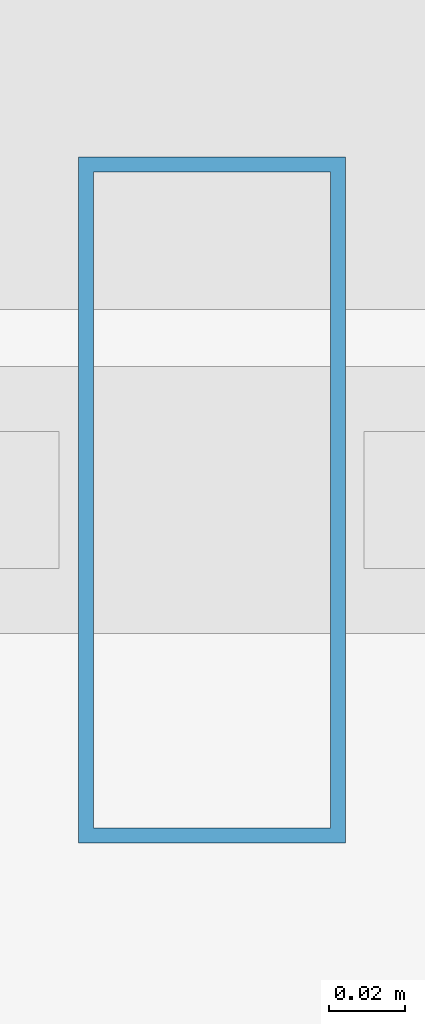
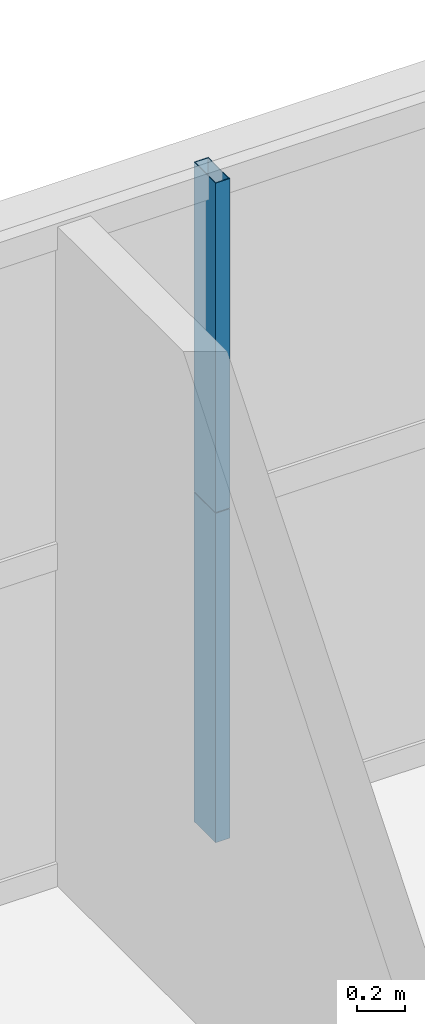
# One storey, part 35 of 43: 2 members, 1 element without a shape of its own.
"""IFC4 building model written with IfcOpenShell, lengths in metres."""

from ifc_helpers import new_model, si_unit, direction, frame, origin, origin_2d, place, context, subcontext, project, spatial, hollow_rectangle, extrude, source, transform, mapped, material, layer, layer_set, material_profile, profile_set, type_object, element, aggregate, save


model = new_model("IFC4")

# Units and contexts
model_context = context("Model", 3, precision=1e-05, world=origin(), true_north=direction((0.0, 1.0)))
body_context = subcontext(model_context, "Body", "Model", "MODEL_VIEW")
ifc_project = project(units=[si_unit("LENGTHUNIT", "METRE"), si_unit("AREAUNIT", "SQUARE_METRE"), si_unit("VOLUMEUNIT", "CUBIC_METRE"), si_unit("PLANEANGLEUNIT", "RADIAN"), si_unit("MASSUNIT", "GRAM", prefix="KILO"), si_unit("THERMODYNAMICTEMPERATUREUNIT", "KELVIN"), si_unit("POWERUNIT", "WATT")], contexts=[model_context])

# Site, building, storey
site_placement = place(None, origin())
site = spatial("IfcSite", under=ifc_project, at=site_placement, CompositionType="ELEMENT")
building_placement = place(site_placement, origin())
building = spatial("IfcBuilding", under=site, at=building_placement, Name="Yuzanri Waterfront Tower", CompositionType="ELEMENT")
storey_placement = place(building_placement, frame((0.0, 0.0, 74.800048828125)))
storey = spatial("IfcBuildingStorey", under=building, at=storey_placement, Name="L19", CompositionType="ELEMENT", Elevation=74.800048828125)

# Curtain wall, members
ifc_material_1 = material(Name="Anodized Architectural Bronze", Category="metal")
ifc_layer = layer(ifc_material_1, 0.159912109375)
ifc_layer_set = layer_set([ifc_layer], Name="Anodized Architectural Bronze")
curtain_wall_type = type_object("IfcCurtainWallType", Name="Anodized Bronze Hotel Lower-Tier Recessed Unitized Curtain Wall 8100", PredefinedType="NOTDEFINED", material=ifc_layer_set)
curtain_wall_placement = place(storey_placement, origin())
curtain_wall = element("IfcCurtainWall", 1, at=curtain_wall_placement, inside=storey, type_object=curtain_wall_type, Name="L19 Curtain Wall CW-L19-NR", PredefinedType="NOTDEFINED")
ifc_material_2 = material(Name="Anodized Architectural Bronze", Category="metal")
ifc_material_profile = material_profile(ifc_material_2, hollow_rectangle(XDim=0.070068359375, YDim=0.179931640625, WallThickness=0.00390625, at=origin_2d()), Name="CWM 70x180")
ifc_profile_set = profile_set([ifc_material_profile], Name="Anodized Architectural Bronze")
member_type = type_object("IfcMemberType", Name="Anodized Bronze Standard Curtain-Wall Mullion 70x180", PredefinedType="MULLION", material=ifc_profile_set)
shared_shape = source(origin(), body_context, "Body", "SweptSolid", [
    extrude(hollow_rectangle(XDim=0.070068359375, YDim=0.179931640625, WallThickness=0.00390625, at=origin_2d()), origin(), (0.0, 0.0, 1.0), 1.68798828125),
])
member_1_placement = place(storey_placement, frame((46.10009765625, 50.75, 0.0), z_axis=(0.0, 0.0, 1.0), x_axis=(1.0, 0.0, 0.0)))
member_1 = element("IfcMember", 2, at=member_1_placement, type_object=member_type, Name="CW-L19-NR Lower Mullion 01", PredefinedType="MULLION", context=body_context, shape_type="MappedRepresentation", body=[
    mapped(shared_shape, transform((0.0, 0.0, 0.0), scale=1.0)),
])
member_2_placement = place(storey_placement, frame((46.10009765625, 50.75, 1.69189453125), z_axis=(0.0, 0.0, 1.0), x_axis=(1.0, 0.0, 0.0)))
member_2 = element("IfcMember", 3, at=member_2_placement, type_object=member_type, Name="CW-L19-NR Upper Mullion 01", PredefinedType="MULLION", context=body_context, shape_type="MappedRepresentation", body=[
    mapped(shared_shape, transform((0.0, 0.0, 0.0), scale=1.0)),
])
aggregate(curtain_wall, [member_1, member_2])

save(model, "model.ifc")
